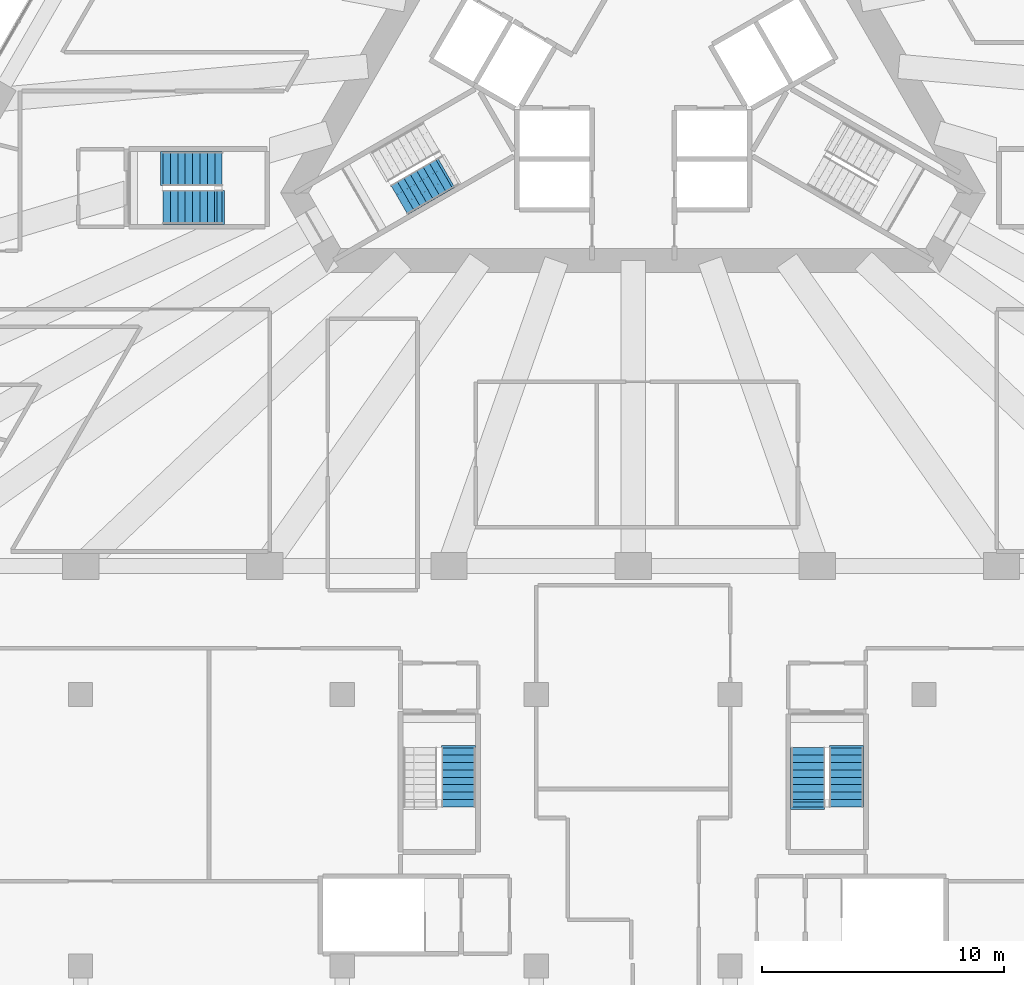
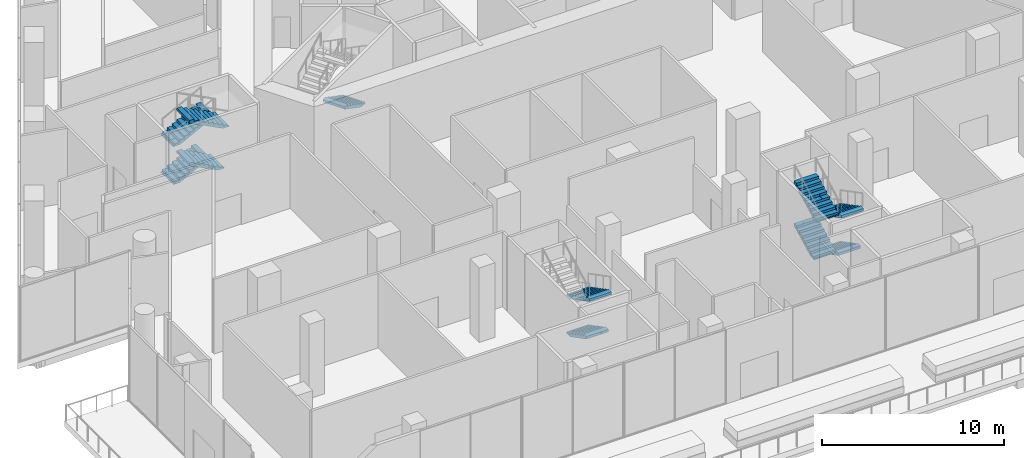
# One storey, part 27 of 32: 11 stair flights, 4 elements without a shape of their own.
"""IFC4 building model written with IfcOpenShell, lengths in metres."""

from ifc_helpers import new_model, si_unit, direction, frame, origin, place, context, subcontext, project, spatial, polyline, outline, extrude, material, type_object, element, aggregate, save


model = new_model("IFC4")

# Units and contexts
model_context = context("Model", 3, precision=1e-05, world=origin(), true_north=direction((0.0, 1.0)))
body_context = subcontext(model_context, "Body", "Model", "MODEL_VIEW")
ifc_project = project(units=[si_unit("LENGTHUNIT", "METRE"), si_unit("AREAUNIT", "SQUARE_METRE"), si_unit("VOLUMEUNIT", "CUBIC_METRE"), si_unit("PLANEANGLEUNIT", "RADIAN"), si_unit("MASSUNIT", "GRAM", prefix="KILO")], contexts=[model_context])

# Site, building, storey
site_placement = place(None, origin())
site = spatial("IfcSite", under=ifc_project, at=site_placement, CompositionType="ELEMENT")
building_placement = place(site_placement, origin())
building = spatial("IfcBuilding", under=site, at=building_placement, Name="Triada Interchange Tower", CompositionType="ELEMENT")
storey_placement = place(building_placement, frame((0.0, 0.0, 14.5)))
storey = spatial("IfcBuildingStorey", under=building, at=storey_placement, Name="L02", CompositionType="ELEMENT", Elevation=14.5)

# Stair, stair flight
ifc_material = material(Name="Concrete C35/45", Category="concrete")
stair_type = type_object("IfcStairType", Name="HALF TURN STAIR 1400", PredefinedType="HALF_TURN_STAIR", material=ifc_material)
stair_1_placement = place(storey_placement, origin())
stair_1 = element("IfcStair", 1, at=stair_1_placement, inside=storey, type_object=stair_type, Name="Exit stair S02-2", PredefinedType="HALF_TURN_STAIR")
stair_flight_type = type_object("IfcStairFlightType", Name="STRAIGHT STAIR FLIGHT 1400", PredefinedType="STRAIGHT", material=ifc_material)
stair_flight_1_placement = place(storey_placement, frame((-7.797119140625, -5.425048828125, 1.2705078125), z_axis=(0.0, 0.0, 1.0), x_axis=(-0.866025403784, -0.5, 0.0)))
stair_flight_1 = element("IfcStairFlight", 2, at=stair_flight_1_placement, type_object=stair_flight_type, Name="S02-2 flight 2", NumberOfRisers=8, NumberOfTreads=7, PredefinedType="STRAIGHT", RiserHeight=0.15882, TreadLength=0.305, context=body_context, shape_type="SweptSolid", body=[
    extrude(outline(polyline([(-0.10009765625, 0.0), (-0.10009765625, 0.02001953125), (0.0, 0.02001953125), (0.0, 0.158935546875), (0.304931640625, 0.158935546875), (0.304931640625, 0.317626953125), (0.610107421875, 0.317626953125), (0.610107421875, 0.4765625), (0.9150390625, 0.4765625), (0.9150390625, 0.63525390625), (1.219970703125, 0.63525390625), (1.219970703125, 0.794189453125), (1.52490234375, 0.794189453125), (1.52490234375, 0.952880859375), (1.830078125, 0.952880859375), (1.830078125, 1.11181640625), (2.135009765625, 1.11181640625), (2.138916015625, 1.11181640625), (2.138916015625, 1.2705078125), (2.138916015625, 0.942626953125), (0.324462890625, 0.0), (-0.10009765625, 0.0)])), frame((0.0, 0.699951171875, 0.0), z_axis=(0.0, -1.0, 0.0), x_axis=(1.0, 0.0, 0.0)), (0.0, 0.0, 1.0), 0.46533203125),
    extrude(outline(polyline([(-0.10009765625, 0.0), (-0.10009765625, 0.02001953125), (0.0, 0.02001953125), (0.0, 0.158935546875), (0.304931640625, 0.158935546875), (0.304931640625, 0.317626953125), (0.610107421875, 0.317626953125), (0.610107421875, 0.4765625), (0.9150390625, 0.4765625), (0.9150390625, 0.63525390625), (1.219970703125, 0.63525390625), (1.219970703125, 0.794189453125), (1.52490234375, 0.794189453125), (1.52490234375, 0.952880859375), (1.830078125, 0.952880859375), (1.830078125, 1.11181640625), (2.135009765625, 1.11181640625), (2.138916015625, 1.11181640625), (2.138916015625, 1.2705078125), (2.138916015625, 0.942626953125), (0.324462890625, 0.0), (-0.10009765625, 0.0)])), frame((0.0, 0.232666015625, 0.0), z_axis=(0.0, -1.0, 0.0), x_axis=(1.0, 0.0, 0.0)), (0.0, 0.0, 1.0), 0.46533203125),
    extrude(outline(polyline([(-0.10009765625, 0.0), (-0.10009765625, 0.02001953125), (0.0, 0.02001953125), (0.0, 0.158935546875), (0.304931640625, 0.158935546875), (0.304931640625, 0.317626953125), (0.610107421875, 0.317626953125), (0.610107421875, 0.4765625), (0.9150390625, 0.4765625), (0.9150390625, 0.63525390625), (1.219970703125, 0.63525390625), (1.219970703125, 0.794189453125), (1.52490234375, 0.794189453125), (1.52490234375, 0.952880859375), (1.830078125, 0.952880859375), (1.830078125, 1.11181640625), (2.135009765625, 1.11181640625), (2.138916015625, 1.11181640625), (2.138916015625, 1.2705078125), (2.138916015625, 0.942626953125), (0.324462890625, 0.0), (-0.10009765625, 0.0)])), frame((0.0, -0.234619140625, 0.0), z_axis=(0.0, -1.0, 0.0), x_axis=(1.0, 0.0, 0.0)), (0.0, 0.0, 1.0), 0.46533203125),
])
aggregate(stair_1, [stair_flight_1])

# Stair, stair flights
stair_2_placement = place(storey_placement, origin())
stair_2 = element("IfcStair", 3, at=stair_2_placement, inside=storey, type_object=stair_type, Name="Exit stair S02-6", PredefinedType="HALF_TURN_STAIR")
stair_flight_2_placement = place(storey_placement, frame((-19.39990234375, -5.199951171875, 0.0), z_axis=(0.0, 0.0, 1.0), x_axis=(1.0, 0.0, 0.0)))
stair_flight_2 = element("IfcStairFlight", 4, at=stair_flight_2_placement, type_object=stair_flight_type, Name="S02-6 flight 1", NumberOfRisers=8, NumberOfTreads=7, PredefinedType="STRAIGHT", RiserHeight=0.15882, TreadLength=0.305, context=body_context, shape_type="SweptSolid", body=[
    extrude(outline(polyline([(-0.10009765625, 0.0), (-0.10009765625, 0.02001953125), (0.0, 0.02001953125), (0.0, 0.158935546875), (0.304931640625, 0.158935546875), (0.304931640625, 0.317626953125), (0.610107421875, 0.317626953125), (0.610107421875, 0.4765625), (0.9150390625, 0.4765625), (0.9150390625, 0.63525390625), (1.219970703125, 0.63525390625), (1.219970703125, 0.794189453125), (1.52490234375, 0.794189453125), (1.52490234375, 0.952880859375), (1.830078125, 0.952880859375), (1.830078125, 1.11181640625), (2.135009765625, 1.11181640625), (2.138916015625, 1.11181640625), (2.138916015625, 1.2705078125), (2.138916015625, 0.942626953125), (0.324462890625, 0.0), (-0.10009765625, 0.0)])), frame((0.0, 0.699951171875, 0.0), z_axis=(0.0, -1.0, 0.0), x_axis=(1.0, 0.0, 0.0)), (0.0, 0.0, 1.0), 0.46533203125),
    extrude(outline(polyline([(-0.10009765625, 0.0), (-0.10009765625, 0.02001953125), (0.0, 0.02001953125), (0.0, 0.158935546875), (0.304931640625, 0.158935546875), (0.304931640625, 0.317626953125), (0.610107421875, 0.317626953125), (0.610107421875, 0.4765625), (0.9150390625, 0.4765625), (0.9150390625, 0.63525390625), (1.219970703125, 0.63525390625), (1.219970703125, 0.794189453125), (1.52490234375, 0.794189453125), (1.52490234375, 0.952880859375), (1.830078125, 0.952880859375), (1.830078125, 1.11181640625), (2.135009765625, 1.11181640625), (2.138916015625, 1.11181640625), (2.138916015625, 1.2705078125), (2.138916015625, 0.942626953125), (0.324462890625, 0.0), (-0.10009765625, 0.0)])), frame((0.0, 0.232666015625, 0.0), z_axis=(0.0, -1.0, 0.0), x_axis=(1.0, 0.0, 0.0)), (0.0, 0.0, 1.0), 0.46533203125),
    extrude(outline(polyline([(-0.10009765625, 0.0), (-0.10009765625, 0.02001953125), (0.0, 0.02001953125), (0.0, 0.158935546875), (0.304931640625, 0.158935546875), (0.304931640625, 0.317626953125), (0.610107421875, 0.317626953125), (0.610107421875, 0.4765625), (0.9150390625, 0.4765625), (0.9150390625, 0.63525390625), (1.219970703125, 0.63525390625), (1.219970703125, 0.794189453125), (1.52490234375, 0.794189453125), (1.52490234375, 0.952880859375), (1.830078125, 0.952880859375), (1.830078125, 1.11181640625), (2.135009765625, 1.11181640625), (2.138916015625, 1.11181640625), (2.138916015625, 1.2705078125), (2.138916015625, 0.942626953125), (0.324462890625, 0.0), (-0.10009765625, 0.0)])), frame((0.0, -0.234619140625, 0.0), z_axis=(0.0, -1.0, 0.0), x_axis=(1.0, 0.0, 0.0)), (0.0, 0.0, 1.0), 0.46533203125),
])
stair_flight_3_placement = place(storey_placement, frame((-17.264892578125, -6.800048828125, 1.2705078125), z_axis=(0.0, 0.0, 1.0), x_axis=(-1.0, 0.0, 0.0)))
stair_flight_3 = element("IfcStairFlight", 5, at=stair_flight_3_placement, type_object=stair_flight_type, Name="S02-6 flight 2", NumberOfRisers=8, NumberOfTreads=7, PredefinedType="STRAIGHT", RiserHeight=0.15882, TreadLength=0.305, context=body_context, shape_type="SweptSolid", body=[
    extrude(outline(polyline([(-0.10009765625, 0.0), (-0.10009765625, 0.02001953125), (0.0, 0.02001953125), (0.0, 0.158935546875), (0.304931640625, 0.158935546875), (0.304931640625, 0.317626953125), (0.610107421875, 0.317626953125), (0.610107421875, 0.4765625), (0.9150390625, 0.4765625), (0.9150390625, 0.63525390625), (1.219970703125, 0.63525390625), (1.219970703125, 0.794189453125), (1.52490234375, 0.794189453125), (1.52490234375, 0.952880859375), (1.830078125, 0.952880859375), (1.830078125, 1.11181640625), (2.135009765625, 1.11181640625), (2.138916015625, 1.11181640625), (2.138916015625, 1.2705078125), (2.138916015625, 0.942626953125), (0.324462890625, 0.0), (-0.10009765625, 0.0)])), frame((0.0, 0.699951171875, 0.0), z_axis=(0.0, -1.0, 0.0), x_axis=(1.0, 0.0, 0.0)), (0.0, 0.0, 1.0), 0.46533203125),
    extrude(outline(polyline([(-0.10009765625, 0.0), (-0.10009765625, 0.02001953125), (0.0, 0.02001953125), (0.0, 0.158935546875), (0.304931640625, 0.158935546875), (0.304931640625, 0.317626953125), (0.610107421875, 0.317626953125), (0.610107421875, 0.4765625), (0.9150390625, 0.4765625), (0.9150390625, 0.63525390625), (1.219970703125, 0.63525390625), (1.219970703125, 0.794189453125), (1.52490234375, 0.794189453125), (1.52490234375, 0.952880859375), (1.830078125, 0.952880859375), (1.830078125, 1.11181640625), (2.135009765625, 1.11181640625), (2.138916015625, 1.11181640625), (2.138916015625, 1.2705078125), (2.138916015625, 0.942626953125), (0.324462890625, 0.0), (-0.10009765625, 0.0)])), frame((0.0, 0.232666015625, 0.0), z_axis=(0.0, -1.0, 0.0), x_axis=(1.0, 0.0, 0.0)), (0.0, 0.0, 1.0), 0.46533203125),
    extrude(outline(polyline([(-0.10009765625, 0.0), (-0.10009765625, 0.02001953125), (0.0, 0.02001953125), (0.0, 0.158935546875), (0.304931640625, 0.158935546875), (0.304931640625, 0.317626953125), (0.610107421875, 0.317626953125), (0.610107421875, 0.4765625), (0.9150390625, 0.4765625), (0.9150390625, 0.63525390625), (1.219970703125, 0.63525390625), (1.219970703125, 0.794189453125), (1.52490234375, 0.794189453125), (1.52490234375, 0.952880859375), (1.830078125, 0.952880859375), (1.830078125, 1.11181640625), (2.135009765625, 1.11181640625), (2.138916015625, 1.11181640625), (2.138916015625, 1.2705078125), (2.138916015625, 0.942626953125), (0.324462890625, 0.0), (-0.10009765625, 0.0)])), frame((0.0, -0.234619140625, 0.0), z_axis=(0.0, -1.0, 0.0), x_axis=(1.0, 0.0, 0.0)), (0.0, 0.0, 1.0), 0.46533203125),
])
stair_flight_4_placement = place(storey_placement, frame((-19.39990234375, -5.199951171875, 2.541015625), z_axis=(0.0, 0.0, 1.0), x_axis=(1.0, 0.0, 0.0)))
stair_flight_4 = element("IfcStairFlight", 6, at=stair_flight_4_placement, type_object=stair_flight_type, Name="S02-6 flight 3", NumberOfRisers=9, NumberOfTreads=8, PredefinedType="STRAIGHT", RiserHeight=0.15882, TreadLength=0.305, context=body_context, shape_type="SweptSolid", body=[
    extrude(outline(polyline([(-0.10009765625, 0.0), (-0.10009765625, 0.02001953125), (0.0, 0.02001953125), (0.0, 0.158935546875), (0.304931640625, 0.158935546875), (0.304931640625, 0.317626953125), (0.610107421875, 0.317626953125), (0.610107421875, 0.4765625), (0.9150390625, 0.4765625), (0.9150390625, 0.63525390625), (1.219970703125, 0.63525390625), (1.219970703125, 0.794189453125), (1.52490234375, 0.794189453125), (1.52490234375, 0.952880859375), (1.830078125, 0.952880859375), (1.830078125, 1.11181640625), (2.135009765625, 1.11181640625), (2.135009765625, 1.2705078125), (2.43994140625, 1.2705078125), (2.444091796875, 1.2705078125), (2.444091796875, 1.429443359375), (2.444091796875, 1.1015625), (0.324462890625, 0.0), (-0.10009765625, 0.0)])), frame((0.0, 0.699951171875, 0.0), z_axis=(0.0, -1.0, 0.0), x_axis=(1.0, 0.0, 0.0)), (0.0, 0.0, 1.0), 0.46533203125),
    extrude(outline(polyline([(-0.10009765625, 0.0), (-0.10009765625, 0.02001953125), (0.0, 0.02001953125), (0.0, 0.158935546875), (0.304931640625, 0.158935546875), (0.304931640625, 0.317626953125), (0.610107421875, 0.317626953125), (0.610107421875, 0.4765625), (0.9150390625, 0.4765625), (0.9150390625, 0.63525390625), (1.219970703125, 0.63525390625), (1.219970703125, 0.794189453125), (1.52490234375, 0.794189453125), (1.52490234375, 0.952880859375), (1.830078125, 0.952880859375), (1.830078125, 1.11181640625), (2.135009765625, 1.11181640625), (2.135009765625, 1.2705078125), (2.43994140625, 1.2705078125), (2.444091796875, 1.2705078125), (2.444091796875, 1.429443359375), (2.444091796875, 1.1015625), (0.324462890625, 0.0), (-0.10009765625, 0.0)])), frame((0.0, 0.232666015625, 0.0), z_axis=(0.0, -1.0, 0.0), x_axis=(1.0, 0.0, 0.0)), (0.0, 0.0, 1.0), 0.46533203125),
    extrude(outline(polyline([(-0.10009765625, 0.0), (-0.10009765625, 0.02001953125), (0.0, 0.02001953125), (0.0, 0.158935546875), (0.304931640625, 0.158935546875), (0.304931640625, 0.317626953125), (0.610107421875, 0.317626953125), (0.610107421875, 0.4765625), (0.9150390625, 0.4765625), (0.9150390625, 0.63525390625), (1.219970703125, 0.63525390625), (1.219970703125, 0.794189453125), (1.52490234375, 0.794189453125), (1.52490234375, 0.952880859375), (1.830078125, 0.952880859375), (1.830078125, 1.11181640625), (2.135009765625, 1.11181640625), (2.135009765625, 1.2705078125), (2.43994140625, 1.2705078125), (2.444091796875, 1.2705078125), (2.444091796875, 1.429443359375), (2.444091796875, 1.1015625), (0.324462890625, 0.0), (-0.10009765625, 0.0)])), frame((0.0, -0.234619140625, 0.0), z_axis=(0.0, -1.0, 0.0), x_axis=(1.0, 0.0, 0.0)), (0.0, 0.0, 1.0), 0.46533203125),
])
stair_flight_5_placement = place(storey_placement, frame((-16.9599609375, -6.800048828125, 3.970458984375), z_axis=(0.0, 0.0, 1.0), x_axis=(-1.0, 0.0, 0.0)))
stair_flight_5 = element("IfcStairFlight", 7, at=stair_flight_5_placement, type_object=stair_flight_type, Name="S02-6 flight 4", NumberOfRisers=9, NumberOfTreads=8, PredefinedType="STRAIGHT", RiserHeight=0.15882, TreadLength=0.305, context=body_context, shape_type="SweptSolid", body=[
    extrude(outline(polyline([(-0.10009765625, 0.0), (-0.10009765625, 0.02001953125), (0.0, 0.02001953125), (0.0, 0.158935546875), (0.304931640625, 0.158935546875), (0.304931640625, 0.317626953125), (0.610107421875, 0.317626953125), (0.610107421875, 0.4765625), (0.9150390625, 0.4765625), (0.9150390625, 0.63525390625), (1.219970703125, 0.63525390625), (1.219970703125, 0.794189453125), (1.52490234375, 0.794189453125), (1.52490234375, 0.952880859375), (1.830078125, 0.952880859375), (1.830078125, 1.11181640625), (2.135009765625, 1.11181640625), (2.135009765625, 1.2705078125), (2.43994140625, 1.2705078125), (2.444091796875, 1.2705078125), (2.444091796875, 1.429443359375), (2.444091796875, 1.1015625), (0.324462890625, 0.0), (-0.10009765625, 0.0)])), frame((0.0, 0.699951171875, 0.0), z_axis=(0.0, -1.0, 0.0), x_axis=(1.0, 0.0, 0.0)), (0.0, 0.0, 1.0), 0.46533203125),
    extrude(outline(polyline([(-0.10009765625, 0.0), (-0.10009765625, 0.02001953125), (0.0, 0.02001953125), (0.0, 0.158935546875), (0.304931640625, 0.158935546875), (0.304931640625, 0.317626953125), (0.610107421875, 0.317626953125), (0.610107421875, 0.4765625), (0.9150390625, 0.4765625), (0.9150390625, 0.63525390625), (1.219970703125, 0.63525390625), (1.219970703125, 0.794189453125), (1.52490234375, 0.794189453125), (1.52490234375, 0.952880859375), (1.830078125, 0.952880859375), (1.830078125, 1.11181640625), (2.135009765625, 1.11181640625), (2.135009765625, 1.2705078125), (2.43994140625, 1.2705078125), (2.444091796875, 1.2705078125), (2.444091796875, 1.429443359375), (2.444091796875, 1.1015625), (0.324462890625, 0.0), (-0.10009765625, 0.0)])), frame((0.0, 0.232666015625, 0.0), z_axis=(0.0, -1.0, 0.0), x_axis=(1.0, 0.0, 0.0)), (0.0, 0.0, 1.0), 0.46533203125),
    extrude(outline(polyline([(-0.10009765625, 0.0), (-0.10009765625, 0.02001953125), (0.0, 0.02001953125), (0.0, 0.158935546875), (0.304931640625, 0.158935546875), (0.304931640625, 0.317626953125), (0.610107421875, 0.317626953125), (0.610107421875, 0.4765625), (0.9150390625, 0.4765625), (0.9150390625, 0.63525390625), (1.219970703125, 0.63525390625), (1.219970703125, 0.794189453125), (1.52490234375, 0.794189453125), (1.52490234375, 0.952880859375), (1.830078125, 0.952880859375), (1.830078125, 1.11181640625), (2.135009765625, 1.11181640625), (2.135009765625, 1.2705078125), (2.43994140625, 1.2705078125), (2.444091796875, 1.2705078125), (2.444091796875, 1.429443359375), (2.444091796875, 1.1015625), (0.324462890625, 0.0), (-0.10009765625, 0.0)])), frame((0.0, -0.234619140625, 0.0), z_axis=(0.0, -1.0, 0.0), x_axis=(1.0, 0.0, 0.0)), (0.0, 0.0, 1.0), 0.46533203125),
])
aggregate(stair_2, [stair_flight_2, stair_flight_3, stair_flight_4, stair_flight_5])

stair_3_placement = place(storey_placement, origin())
stair_3 = element("IfcStair", 8, at=stair_3_placement, inside=storey, type_object=stair_type, Name="Exit stair S02-10", PredefinedType="HALF_TURN_STAIR")
stair_flight_6_placement = place(storey_placement, frame((8.800048828125, -29.10009765625, 0.0), z_axis=(0.0, 0.0, 1.0), x_axis=(0.0, -1.0, 0.0)))
stair_flight_6 = element("IfcStairFlight", 9, at=stair_flight_6_placement, type_object=stair_flight_type, Name="S02-10 flight 1", NumberOfRisers=8, NumberOfTreads=7, PredefinedType="STRAIGHT", RiserHeight=0.15882, TreadLength=0.305, context=body_context, shape_type="SweptSolid", body=[
    extrude(outline(polyline([(-0.10009765625, 0.0), (-0.10009765625, 0.02001953125), (0.0, 0.02001953125), (0.0, 0.158935546875), (0.304931640625, 0.158935546875), (0.304931640625, 0.317626953125), (0.610107421875, 0.317626953125), (0.610107421875, 0.4765625), (0.9150390625, 0.4765625), (0.9150390625, 0.63525390625), (1.219970703125, 0.63525390625), (1.219970703125, 0.794189453125), (1.52490234375, 0.794189453125), (1.52490234375, 0.952880859375), (1.830078125, 0.952880859375), (1.830078125, 1.11181640625), (2.135009765625, 1.11181640625), (2.138916015625, 1.11181640625), (2.138916015625, 1.2705078125), (2.138916015625, 0.942626953125), (0.324462890625, 0.0), (-0.10009765625, 0.0)])), frame((0.0, 0.699951171875, 0.0), z_axis=(0.0, -1.0, 0.0), x_axis=(1.0, 0.0, 0.0)), (0.0, 0.0, 1.0), 0.46533203125),
    extrude(outline(polyline([(-0.10009765625, 0.0), (-0.10009765625, 0.02001953125), (0.0, 0.02001953125), (0.0, 0.158935546875), (0.304931640625, 0.158935546875), (0.304931640625, 0.317626953125), (0.610107421875, 0.317626953125), (0.610107421875, 0.4765625), (0.9150390625, 0.4765625), (0.9150390625, 0.63525390625), (1.219970703125, 0.63525390625), (1.219970703125, 0.794189453125), (1.52490234375, 0.794189453125), (1.52490234375, 0.952880859375), (1.830078125, 0.952880859375), (1.830078125, 1.11181640625), (2.135009765625, 1.11181640625), (2.138916015625, 1.11181640625), (2.138916015625, 1.2705078125), (2.138916015625, 0.942626953125), (0.324462890625, 0.0), (-0.10009765625, 0.0)])), frame((0.0, 0.232666015625, 0.0), z_axis=(0.0, -1.0, 0.0), x_axis=(1.0, 0.0, 0.0)), (0.0, 0.0, 1.0), 0.46533203125),
    extrude(outline(polyline([(-0.10009765625, 0.0), (-0.10009765625, 0.02001953125), (0.0, 0.02001953125), (0.0, 0.158935546875), (0.304931640625, 0.158935546875), (0.304931640625, 0.317626953125), (0.610107421875, 0.317626953125), (0.610107421875, 0.4765625), (0.9150390625, 0.4765625), (0.9150390625, 0.63525390625), (1.219970703125, 0.63525390625), (1.219970703125, 0.794189453125), (1.52490234375, 0.794189453125), (1.52490234375, 0.952880859375), (1.830078125, 0.952880859375), (1.830078125, 1.11181640625), (2.135009765625, 1.11181640625), (2.138916015625, 1.11181640625), (2.138916015625, 1.2705078125), (2.138916015625, 0.942626953125), (0.324462890625, 0.0), (-0.10009765625, 0.0)])), frame((0.0, -0.234619140625, 0.0), z_axis=(0.0, -1.0, 0.0), x_axis=(1.0, 0.0, 0.0)), (0.0, 0.0, 1.0), 0.46533203125),
])
stair_flight_7_placement = place(storey_placement, frame((7.199951171875, -31.235107421875, 1.2705078125), z_axis=(0.0, 0.0, 1.0), x_axis=(0.0, 1.0, 0.0)))
stair_flight_7 = element("IfcStairFlight", 10, at=stair_flight_7_placement, type_object=stair_flight_type, Name="S02-10 flight 2", NumberOfRisers=8, NumberOfTreads=7, PredefinedType="STRAIGHT", RiserHeight=0.15882, TreadLength=0.305, context=body_context, shape_type="SweptSolid", body=[
    extrude(outline(polyline([(-0.10009765625, 0.0), (-0.10009765625, 0.02001953125), (0.0, 0.02001953125), (0.0, 0.158935546875), (0.304931640625, 0.158935546875), (0.304931640625, 0.317626953125), (0.610107421875, 0.317626953125), (0.610107421875, 0.4765625), (0.9150390625, 0.4765625), (0.9150390625, 0.63525390625), (1.219970703125, 0.63525390625), (1.219970703125, 0.794189453125), (1.52490234375, 0.794189453125), (1.52490234375, 0.952880859375), (1.830078125, 0.952880859375), (1.830078125, 1.11181640625), (2.135009765625, 1.11181640625), (2.138916015625, 1.11181640625), (2.138916015625, 1.2705078125), (2.138916015625, 0.942626953125), (0.324462890625, 0.0), (-0.10009765625, 0.0)])), frame((0.0, 0.699951171875, 0.0), z_axis=(0.0, -1.0, 0.0), x_axis=(1.0, 0.0, 0.0)), (0.0, 0.0, 1.0), 0.46533203125),
    extrude(outline(polyline([(-0.10009765625, 0.0), (-0.10009765625, 0.02001953125), (0.0, 0.02001953125), (0.0, 0.158935546875), (0.304931640625, 0.158935546875), (0.304931640625, 0.317626953125), (0.610107421875, 0.317626953125), (0.610107421875, 0.4765625), (0.9150390625, 0.4765625), (0.9150390625, 0.63525390625), (1.219970703125, 0.63525390625), (1.219970703125, 0.794189453125), (1.52490234375, 0.794189453125), (1.52490234375, 0.952880859375), (1.830078125, 0.952880859375), (1.830078125, 1.11181640625), (2.135009765625, 1.11181640625), (2.138916015625, 1.11181640625), (2.138916015625, 1.2705078125), (2.138916015625, 0.942626953125), (0.324462890625, 0.0), (-0.10009765625, 0.0)])), frame((0.0, 0.232666015625, 0.0), z_axis=(0.0, -1.0, 0.0), x_axis=(1.0, 0.0, 0.0)), (0.0, 0.0, 1.0), 0.46533203125),
    extrude(outline(polyline([(-0.10009765625, 0.0), (-0.10009765625, 0.02001953125), (0.0, 0.02001953125), (0.0, 0.158935546875), (0.304931640625, 0.158935546875), (0.304931640625, 0.317626953125), (0.610107421875, 0.317626953125), (0.610107421875, 0.4765625), (0.9150390625, 0.4765625), (0.9150390625, 0.63525390625), (1.219970703125, 0.63525390625), (1.219970703125, 0.794189453125), (1.52490234375, 0.794189453125), (1.52490234375, 0.952880859375), (1.830078125, 0.952880859375), (1.830078125, 1.11181640625), (2.135009765625, 1.11181640625), (2.138916015625, 1.11181640625), (2.138916015625, 1.2705078125), (2.138916015625, 0.942626953125), (0.324462890625, 0.0), (-0.10009765625, 0.0)])), frame((0.0, -0.234619140625, 0.0), z_axis=(0.0, -1.0, 0.0), x_axis=(1.0, 0.0, 0.0)), (0.0, 0.0, 1.0), 0.46533203125),
])
stair_flight_8_placement = place(storey_placement, frame((8.800048828125, -29.10009765625, 2.541015625), z_axis=(0.0, 0.0, 1.0), x_axis=(0.0, -1.0, 0.0)))
stair_flight_8 = element("IfcStairFlight", 11, at=stair_flight_8_placement, type_object=stair_flight_type, Name="S02-10 flight 3", NumberOfRisers=9, NumberOfTreads=8, PredefinedType="STRAIGHT", RiserHeight=0.15882, TreadLength=0.305, context=body_context, shape_type="SweptSolid", body=[
    extrude(outline(polyline([(-0.10009765625, 0.0), (-0.10009765625, 0.02001953125), (0.0, 0.02001953125), (0.0, 0.158935546875), (0.304931640625, 0.158935546875), (0.304931640625, 0.317626953125), (0.610107421875, 0.317626953125), (0.610107421875, 0.4765625), (0.9150390625, 0.4765625), (0.9150390625, 0.63525390625), (1.219970703125, 0.63525390625), (1.219970703125, 0.794189453125), (1.52490234375, 0.794189453125), (1.52490234375, 0.952880859375), (1.830078125, 0.952880859375), (1.830078125, 1.11181640625), (2.135009765625, 1.11181640625), (2.135009765625, 1.2705078125), (2.43994140625, 1.2705078125), (2.444091796875, 1.2705078125), (2.444091796875, 1.429443359375), (2.444091796875, 1.1015625), (0.324462890625, 0.0), (-0.10009765625, 0.0)])), frame((0.0, 0.699951171875, 0.0), z_axis=(0.0, -1.0, 0.0), x_axis=(1.0, 0.0, 0.0)), (0.0, 0.0, 1.0), 0.46533203125),
    extrude(outline(polyline([(-0.10009765625, 0.0), (-0.10009765625, 0.02001953125), (0.0, 0.02001953125), (0.0, 0.158935546875), (0.304931640625, 0.158935546875), (0.304931640625, 0.317626953125), (0.610107421875, 0.317626953125), (0.610107421875, 0.4765625), (0.9150390625, 0.4765625), (0.9150390625, 0.63525390625), (1.219970703125, 0.63525390625), (1.219970703125, 0.794189453125), (1.52490234375, 0.794189453125), (1.52490234375, 0.952880859375), (1.830078125, 0.952880859375), (1.830078125, 1.11181640625), (2.135009765625, 1.11181640625), (2.135009765625, 1.2705078125), (2.43994140625, 1.2705078125), (2.444091796875, 1.2705078125), (2.444091796875, 1.429443359375), (2.444091796875, 1.1015625), (0.324462890625, 0.0), (-0.10009765625, 0.0)])), frame((0.0, 0.232666015625, 0.0), z_axis=(0.0, -1.0, 0.0), x_axis=(1.0, 0.0, 0.0)), (0.0, 0.0, 1.0), 0.46533203125),
    extrude(outline(polyline([(-0.10009765625, 0.0), (-0.10009765625, 0.02001953125), (0.0, 0.02001953125), (0.0, 0.158935546875), (0.304931640625, 0.158935546875), (0.304931640625, 0.317626953125), (0.610107421875, 0.317626953125), (0.610107421875, 0.4765625), (0.9150390625, 0.4765625), (0.9150390625, 0.63525390625), (1.219970703125, 0.63525390625), (1.219970703125, 0.794189453125), (1.52490234375, 0.794189453125), (1.52490234375, 0.952880859375), (1.830078125, 0.952880859375), (1.830078125, 1.11181640625), (2.135009765625, 1.11181640625), (2.135009765625, 1.2705078125), (2.43994140625, 1.2705078125), (2.444091796875, 1.2705078125), (2.444091796875, 1.429443359375), (2.444091796875, 1.1015625), (0.324462890625, 0.0), (-0.10009765625, 0.0)])), frame((0.0, -0.234619140625, 0.0), z_axis=(0.0, -1.0, 0.0), x_axis=(1.0, 0.0, 0.0)), (0.0, 0.0, 1.0), 0.46533203125),
])
stair_flight_9_placement = place(storey_placement, frame((7.199951171875, -31.5400390625, 3.970458984375), z_axis=(0.0, 0.0, 1.0), x_axis=(0.0, 1.0, 0.0)))
stair_flight_9 = element("IfcStairFlight", 12, at=stair_flight_9_placement, type_object=stair_flight_type, Name="S02-10 flight 4", NumberOfRisers=9, NumberOfTreads=8, PredefinedType="STRAIGHT", RiserHeight=0.15882, TreadLength=0.305, context=body_context, shape_type="SweptSolid", body=[
    extrude(outline(polyline([(-0.10009765625, 0.0), (-0.10009765625, 0.02001953125), (0.0, 0.02001953125), (0.0, 0.158935546875), (0.304931640625, 0.158935546875), (0.304931640625, 0.317626953125), (0.610107421875, 0.317626953125), (0.610107421875, 0.4765625), (0.9150390625, 0.4765625), (0.9150390625, 0.63525390625), (1.219970703125, 0.63525390625), (1.219970703125, 0.794189453125), (1.52490234375, 0.794189453125), (1.52490234375, 0.952880859375), (1.830078125, 0.952880859375), (1.830078125, 1.11181640625), (2.135009765625, 1.11181640625), (2.135009765625, 1.2705078125), (2.43994140625, 1.2705078125), (2.444091796875, 1.2705078125), (2.444091796875, 1.429443359375), (2.444091796875, 1.1015625), (0.324462890625, 0.0), (-0.10009765625, 0.0)])), frame((0.0, 0.699951171875, 0.0), z_axis=(0.0, -1.0, 0.0), x_axis=(1.0, 0.0, 0.0)), (0.0, 0.0, 1.0), 0.46533203125),
    extrude(outline(polyline([(-0.10009765625, 0.0), (-0.10009765625, 0.02001953125), (0.0, 0.02001953125), (0.0, 0.158935546875), (0.304931640625, 0.158935546875), (0.304931640625, 0.317626953125), (0.610107421875, 0.317626953125), (0.610107421875, 0.4765625), (0.9150390625, 0.4765625), (0.9150390625, 0.63525390625), (1.219970703125, 0.63525390625), (1.219970703125, 0.794189453125), (1.52490234375, 0.794189453125), (1.52490234375, 0.952880859375), (1.830078125, 0.952880859375), (1.830078125, 1.11181640625), (2.135009765625, 1.11181640625), (2.135009765625, 1.2705078125), (2.43994140625, 1.2705078125), (2.444091796875, 1.2705078125), (2.444091796875, 1.429443359375), (2.444091796875, 1.1015625), (0.324462890625, 0.0), (-0.10009765625, 0.0)])), frame((0.0, 0.232666015625, 0.0), z_axis=(0.0, -1.0, 0.0), x_axis=(1.0, 0.0, 0.0)), (0.0, 0.0, 1.0), 0.46533203125),
    extrude(outline(polyline([(-0.10009765625, 0.0), (-0.10009765625, 0.02001953125), (0.0, 0.02001953125), (0.0, 0.158935546875), (0.304931640625, 0.158935546875), (0.304931640625, 0.317626953125), (0.610107421875, 0.317626953125), (0.610107421875, 0.4765625), (0.9150390625, 0.4765625), (0.9150390625, 0.63525390625), (1.219970703125, 0.63525390625), (1.219970703125, 0.794189453125), (1.52490234375, 0.794189453125), (1.52490234375, 0.952880859375), (1.830078125, 0.952880859375), (1.830078125, 1.11181640625), (2.135009765625, 1.11181640625), (2.135009765625, 1.2705078125), (2.43994140625, 1.2705078125), (2.444091796875, 1.2705078125), (2.444091796875, 1.429443359375), (2.444091796875, 1.1015625), (0.324462890625, 0.0), (-0.10009765625, 0.0)])), frame((0.0, -0.234619140625, 0.0), z_axis=(0.0, -1.0, 0.0), x_axis=(1.0, 0.0, 0.0)), (0.0, 0.0, 1.0), 0.46533203125),
])
aggregate(stair_3, [stair_flight_6, stair_flight_7, stair_flight_8, stair_flight_9])

stair_4_placement = place(storey_placement, origin())
stair_4 = element("IfcStair", 13, at=stair_4_placement, inside=storey, type_object=stair_type, Name="Exit stair S02-11", PredefinedType="HALF_TURN_STAIR")
stair_flight_10_placement = place(storey_placement, frame((-7.199951171875, -29.10009765625, 0.0), z_axis=(0.0, 0.0, 1.0), x_axis=(0.0, -1.0, 0.0)))
stair_flight_10 = element("IfcStairFlight", 14, at=stair_flight_10_placement, type_object=stair_flight_type, Name="S02-11 flight 1", NumberOfRisers=8, NumberOfTreads=7, PredefinedType="STRAIGHT", RiserHeight=0.15882, TreadLength=0.305, context=body_context, shape_type="SweptSolid", body=[
    extrude(outline(polyline([(-0.10009765625, 0.0), (-0.10009765625, 0.02001953125), (0.0, 0.02001953125), (0.0, 0.158935546875), (0.304931640625, 0.158935546875), (0.304931640625, 0.317626953125), (0.610107421875, 0.317626953125), (0.610107421875, 0.4765625), (0.9150390625, 0.4765625), (0.9150390625, 0.63525390625), (1.219970703125, 0.63525390625), (1.219970703125, 0.794189453125), (1.52490234375, 0.794189453125), (1.52490234375, 0.952880859375), (1.830078125, 0.952880859375), (1.830078125, 1.11181640625), (2.135009765625, 1.11181640625), (2.138916015625, 1.11181640625), (2.138916015625, 1.2705078125), (2.138916015625, 0.942626953125), (0.324462890625, 0.0), (-0.10009765625, 0.0)])), frame((0.0, 0.699951171875, 0.0), z_axis=(0.0, -1.0, 0.0), x_axis=(1.0, 0.0, 0.0)), (0.0, 0.0, 1.0), 0.46533203125),
    extrude(outline(polyline([(-0.10009765625, 0.0), (-0.10009765625, 0.02001953125), (0.0, 0.02001953125), (0.0, 0.158935546875), (0.304931640625, 0.158935546875), (0.304931640625, 0.317626953125), (0.610107421875, 0.317626953125), (0.610107421875, 0.4765625), (0.9150390625, 0.4765625), (0.9150390625, 0.63525390625), (1.219970703125, 0.63525390625), (1.219970703125, 0.794189453125), (1.52490234375, 0.794189453125), (1.52490234375, 0.952880859375), (1.830078125, 0.952880859375), (1.830078125, 1.11181640625), (2.135009765625, 1.11181640625), (2.138916015625, 1.11181640625), (2.138916015625, 1.2705078125), (2.138916015625, 0.942626953125), (0.324462890625, 0.0), (-0.10009765625, 0.0)])), frame((0.0, 0.232666015625, 0.0), z_axis=(0.0, -1.0, 0.0), x_axis=(1.0, 0.0, 0.0)), (0.0, 0.0, 1.0), 0.46533203125),
    extrude(outline(polyline([(-0.10009765625, 0.0), (-0.10009765625, 0.02001953125), (0.0, 0.02001953125), (0.0, 0.158935546875), (0.304931640625, 0.158935546875), (0.304931640625, 0.317626953125), (0.610107421875, 0.317626953125), (0.610107421875, 0.4765625), (0.9150390625, 0.4765625), (0.9150390625, 0.63525390625), (1.219970703125, 0.63525390625), (1.219970703125, 0.794189453125), (1.52490234375, 0.794189453125), (1.52490234375, 0.952880859375), (1.830078125, 0.952880859375), (1.830078125, 1.11181640625), (2.135009765625, 1.11181640625), (2.138916015625, 1.11181640625), (2.138916015625, 1.2705078125), (2.138916015625, 0.942626953125), (0.324462890625, 0.0), (-0.10009765625, 0.0)])), frame((0.0, -0.234619140625, 0.0), z_axis=(0.0, -1.0, 0.0), x_axis=(1.0, 0.0, 0.0)), (0.0, 0.0, 1.0), 0.46533203125),
])
stair_flight_11_placement = place(storey_placement, frame((-7.199951171875, -29.10009765625, 2.541015625), z_axis=(0.0, 0.0, 1.0), x_axis=(0.0, -1.0, 0.0)))
stair_flight_11 = element("IfcStairFlight", 15, at=stair_flight_11_placement, type_object=stair_flight_type, Name="S02-11 flight 3", NumberOfRisers=9, NumberOfTreads=8, PredefinedType="STRAIGHT", RiserHeight=0.15882, TreadLength=0.305, context=body_context, shape_type="SweptSolid", body=[
    extrude(outline(polyline([(-0.10009765625, 0.0), (-0.10009765625, 0.02001953125), (0.0, 0.02001953125), (0.0, 0.158935546875), (0.304931640625, 0.158935546875), (0.304931640625, 0.317626953125), (0.610107421875, 0.317626953125), (0.610107421875, 0.4765625), (0.9150390625, 0.4765625), (0.9150390625, 0.63525390625), (1.219970703125, 0.63525390625), (1.219970703125, 0.794189453125), (1.52490234375, 0.794189453125), (1.52490234375, 0.952880859375), (1.830078125, 0.952880859375), (1.830078125, 1.11181640625), (2.135009765625, 1.11181640625), (2.135009765625, 1.2705078125), (2.43994140625, 1.2705078125), (2.444091796875, 1.2705078125), (2.444091796875, 1.429443359375), (2.444091796875, 1.1015625), (0.324462890625, 0.0), (-0.10009765625, 0.0)])), frame((0.0, 0.699951171875, 0.0), z_axis=(0.0, -1.0, 0.0), x_axis=(1.0, 0.0, 0.0)), (0.0, 0.0, 1.0), 0.46533203125),
    extrude(outline(polyline([(-0.10009765625, 0.0), (-0.10009765625, 0.02001953125), (0.0, 0.02001953125), (0.0, 0.158935546875), (0.304931640625, 0.158935546875), (0.304931640625, 0.317626953125), (0.610107421875, 0.317626953125), (0.610107421875, 0.4765625), (0.9150390625, 0.4765625), (0.9150390625, 0.63525390625), (1.219970703125, 0.63525390625), (1.219970703125, 0.794189453125), (1.52490234375, 0.794189453125), (1.52490234375, 0.952880859375), (1.830078125, 0.952880859375), (1.830078125, 1.11181640625), (2.135009765625, 1.11181640625), (2.135009765625, 1.2705078125), (2.43994140625, 1.2705078125), (2.444091796875, 1.2705078125), (2.444091796875, 1.429443359375), (2.444091796875, 1.1015625), (0.324462890625, 0.0), (-0.10009765625, 0.0)])), frame((0.0, 0.232666015625, 0.0), z_axis=(0.0, -1.0, 0.0), x_axis=(1.0, 0.0, 0.0)), (0.0, 0.0, 1.0), 0.46533203125),
    extrude(outline(polyline([(-0.10009765625, 0.0), (-0.10009765625, 0.02001953125), (0.0, 0.02001953125), (0.0, 0.158935546875), (0.304931640625, 0.158935546875), (0.304931640625, 0.317626953125), (0.610107421875, 0.317626953125), (0.610107421875, 0.4765625), (0.9150390625, 0.4765625), (0.9150390625, 0.63525390625), (1.219970703125, 0.63525390625), (1.219970703125, 0.794189453125), (1.52490234375, 0.794189453125), (1.52490234375, 0.952880859375), (1.830078125, 0.952880859375), (1.830078125, 1.11181640625), (2.135009765625, 1.11181640625), (2.135009765625, 1.2705078125), (2.43994140625, 1.2705078125), (2.444091796875, 1.2705078125), (2.444091796875, 1.429443359375), (2.444091796875, 1.1015625), (0.324462890625, 0.0), (-0.10009765625, 0.0)])), frame((0.0, -0.234619140625, 0.0), z_axis=(0.0, -1.0, 0.0), x_axis=(1.0, 0.0, 0.0)), (0.0, 0.0, 1.0), 0.46533203125),
])
aggregate(stair_4, [stair_flight_10, stair_flight_11])

save(model, "model.ifc")
